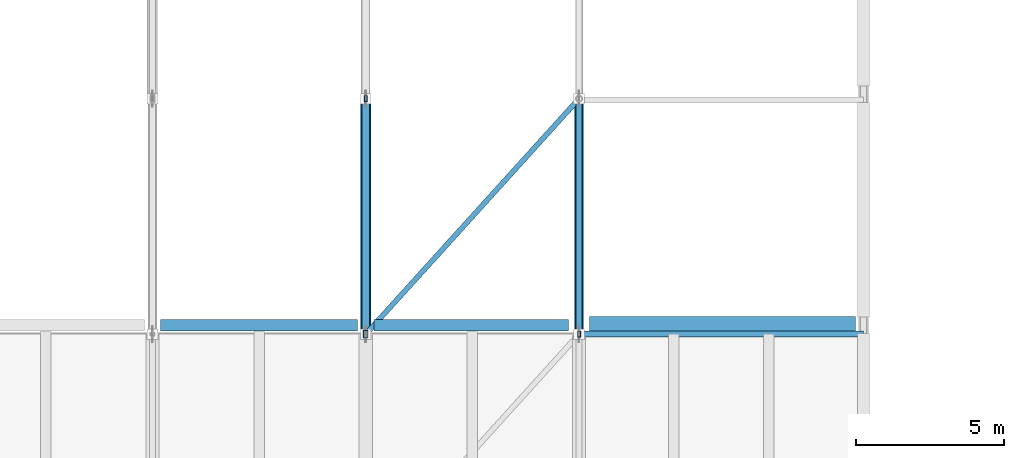
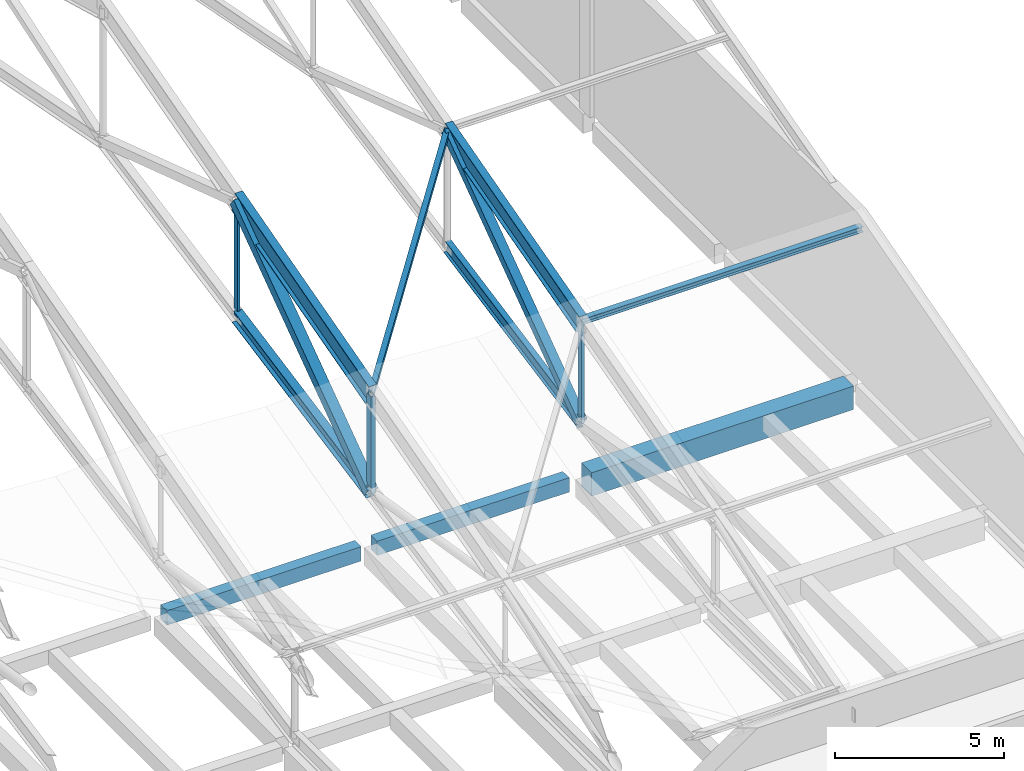
# One storey, part 12 of 53: 7 beams, 7 members.
"""IFC4 building model written with IfcOpenShell, lengths in metres."""

from ifc_helpers import new_model, si_unit, direction, frame, origin, origin_2d, place, context, subcontext, project, spatial, rectangle, hollow_rectangle, i_section, extrude, material, material_profile, profile_set, type_object, element, save


model = new_model("IFC4")

# Units and contexts
model_context = context("Model", 3, precision=1e-05, world=origin(), true_north=direction((0.0, 1.0)))
body_context = subcontext(model_context, "Body", "Model", "MODEL_VIEW")
ifc_project = project(units=[si_unit("LENGTHUNIT", "METRE"), si_unit("AREAUNIT", "SQUARE_METRE"), si_unit("VOLUMEUNIT", "CUBIC_METRE"), si_unit("PLANEANGLEUNIT", "RADIAN"), si_unit("MASSUNIT", "GRAM", prefix="KILO")], contexts=[model_context])

# Site, building, storey
site_placement = place(None, origin())
site = spatial("IfcSite", under=ifc_project, at=site_placement, CompositionType="ELEMENT")
building_placement = place(site_placement, origin())
building = spatial("IfcBuilding", under=site, at=building_placement, Name="Pellamere Symphony Hall", CompositionType="ELEMENT")
storey_placement = place(building_placement, frame((0.0, 0.0, 24.0)))
storey = spatial("IfcBuildingStorey", under=building, at=storey_placement, Name="L05", CompositionType="ELEMENT", Elevation=24.0)

# Beams
ifc_material_1 = material(Name="Concrete 40 MPa", Category="concrete")
ifc_material_profile_1 = material_profile(ifc_material_1, rectangle(XDim=0.60009765625, YDim=0.85009765625, at=origin_2d()), Name="RC 600x850")
ifc_profile_set_1 = profile_set([ifc_material_profile_1], Name="Concrete 40 MPa")
beam_type_1 = type_object("IfcBeamType", Name="RC CB-04 600x850", PredefinedType="BEAM", material=ifc_profile_set_1)
beam_1_placement = place(storey_placement, frame((109.550048828125, 46.199951171875, -0.68505859375), z_axis=(1.0, 0.0, 0.0), x_axis=(0.0, 1.0, 0.0)))
element("IfcBeam", 1, at=beam_1_placement, inside=storey, type_object=beam_type_1, Name="Girder CB-04-X2031 (L05)", PredefinedType="BEAM", context=body_context, shape_type="SweptSolid", body=[
    extrude(rectangle(XDim=0.60009765625, YDim=0.85009765625, at=origin_2d()), origin(), (0.0, 0.0, 1.0), 8.974853515625),
])
ifc_material_profile_2 = material_profile(ifc_material_1, rectangle(XDim=0.3798828125, YDim=0.52001953125, at=origin_2d()), Name="RC 380x520")
ifc_profile_set_2 = profile_set([ifc_material_profile_2], Name="Concrete 40 MPa")
beam_type_2 = type_object("IfcBeamType", Name="RC CB-21 380x520", PredefinedType="BEAM", material=ifc_profile_set_2)
beam_2_placement = place(storey_placement, frame((95.074951171875, 46.199951171875, -0.52001953125), z_axis=(1.0, 0.0, 0.0), x_axis=(0.0, 1.0, 0.0)))
element("IfcBeam", 2, at=beam_2_placement, inside=storey, type_object=beam_type_2, Name="Girder CB-21-X2029 (L05)", PredefinedType="BEAM", context=body_context, shape_type="SweptSolid", body=[
    extrude(rectangle(XDim=0.3798828125, YDim=0.52001953125, at=origin_2d()), origin(), (0.0, 0.0, 1.0), 6.650146484375),
])
beam_3_placement = place(storey_placement, frame((102.27490234375, 46.199951171875, -0.52001953125), z_axis=(1.0, 0.0, 0.0), x_axis=(0.0, 1.0, 0.0)))
element("IfcBeam", 3, at=beam_3_placement, inside=storey, type_object=beam_type_2, Name="Girder CB-21-X2030 (L05)", PredefinedType="BEAM", context=body_context, shape_type="SweptSolid", body=[
    extrude(rectangle(XDim=0.3798828125, YDim=0.52001953125, at=origin_2d()), origin(), (0.0, 0.0, 1.0), 6.5751953125),
])
ifc_material_2 = material(Name="Steel CSA G40.21 350W", Category="steel")
ifc_material_profile_3 = material_profile(ifc_material_2, i_section(OverallWidth=0.26806640625, OverallDepth=0.77001953125, WebThickness=0.015625, FlangeThickness=0.025390625, at=origin_2d()), Name="W760X196")
ifc_profile_set_3 = profile_set([ifc_material_profile_3], Name="Steel CSA G40.21 350W")
beam_type_3 = type_object("IfcBeamType", Name="Steel Beam SB-06 W760X196", PredefinedType="BEAM", material=ifc_profile_set_3)
beam_4_placement = place(storey_placement, frame((102.0, 45.89990234375, 5.22998046875), z_axis=(0.0, 0.964092523779, 0.265566574693), x_axis=(-1.0, 0.0, 0.0)))
element("IfcBeam", 4, at=beam_4_placement, inside=storey, type_object=beam_type_3, Name="Roof Truss TR-07 Top Chord 3", PredefinedType="BEAM", context=body_context, shape_type="SweptSolid", body=[
    extrude(i_section(OverallWidth=0.26806640625, OverallDepth=0.77001953125, WebThickness=0.015625, FlangeThickness=0.025390625, at=origin_2d()), origin(), (0.0, 0.0, 1.0), 8.246337890625),
])
ifc_material_profile_4 = material_profile(ifc_material_2, i_section(OverallWidth=0.25390625, OverallDepth=0.68798828125, WebThickness=0.01318359375, FlangeThickness=0.02099609375, at=origin_2d()), Name="W690X152")
ifc_profile_set_4 = profile_set([ifc_material_profile_4], Name="Steel CSA G40.21 350W")
beam_type_4 = type_object("IfcBeamType", Name="Steel Beam SB-08 W690X152", PredefinedType="BEAM", material=ifc_profile_set_4)
beam_5_placement = place(storey_placement, frame((109.199951171875, 45.89990234375, 5.27099609375), z_axis=(0.0, 0.964092523779, 0.265566574693), x_axis=(-1.0, 0.0, 0.0)))
element("IfcBeam", 5, at=beam_5_placement, inside=storey, type_object=beam_type_4, Name="Roof Truss TR-08 Top Chord 3", PredefinedType="BEAM", context=body_context, shape_type="SweptSolid", body=[
    extrude(i_section(OverallWidth=0.25390625, OverallDepth=0.68798828125, WebThickness=0.01318359375, FlangeThickness=0.02099609375, at=origin_2d()), origin(), (0.0, 0.0, 1.0), 8.246337890625),
])
ifc_material_profile_5 = material_profile(ifc_material_2, i_section(OverallWidth=0.282958984375, OverallDepth=0.471923828125, WebThickness=0.013671875, FlangeThickness=0.022216796875, at=origin_2d()), Name="W460X144")
ifc_profile_set_5 = profile_set([ifc_material_profile_5], Name="Steel CSA G40.21 350W")
beam_type_5 = type_object("IfcBeamType", Name="Steel Beam SB-15 W460X144", PredefinedType="BEAM", material=ifc_profile_set_5)
beam_6_placement = place(storey_placement, frame((102.0, 45.89990234375, 1.706787109375), z_axis=(0.0, 0.981597814787, 0.190960022008), x_axis=(-1.0, 0.0, 0.0)))
element("IfcBeam", 6, at=beam_6_placement, inside=storey, type_object=beam_type_5, Name="Roof Truss TR-07 Bottom Chord 3", PredefinedType="BEAM", context=body_context, shape_type="SweptSolid", body=[
    extrude(i_section(OverallWidth=0.282958984375, OverallDepth=0.471923828125, WebThickness=0.013671875, FlangeThickness=0.022216796875, at=origin_2d()), origin(), (0.0, 0.0, 1.0), 8.09912109375),
])
ifc_material_profile_6 = material_profile(ifc_material_2, i_section(OverallWidth=0.194091796875, OverallDepth=0.468994140625, WebThickness=0.011474609375, FlangeThickness=0.019287109375, at=origin_2d()), Name="W460X106")
ifc_profile_set_6 = profile_set([ifc_material_profile_6], Name="Steel CSA G40.21 350W")
beam_type_6 = type_object("IfcBeamType", Name="Steel Beam SB-16 W460X106", PredefinedType="BEAM", material=ifc_profile_set_6)
beam_7_placement = place(storey_placement, frame((109.199951171875, 45.89990234375, 1.706787109375), z_axis=(0.0, 0.981597814787, 0.190960022008), x_axis=(-1.0, 0.0, 0.0)))
element("IfcBeam", 7, at=beam_7_placement, inside=storey, type_object=beam_type_6, Name="Roof Truss TR-08 Bottom Chord 3", PredefinedType="BEAM", context=body_context, shape_type="SweptSolid", body=[
    extrude(i_section(OverallWidth=0.194091796875, OverallDepth=0.468994140625, WebThickness=0.011474609375, FlangeThickness=0.019287109375, at=origin_2d()), origin(), (0.0, 0.0, 1.0), 8.09912109375),
])

# Members
ifc_material_profile_7 = material_profile(ifc_material_2, hollow_rectangle(XDim=0.355712890625, YDim=0.355712890625, WallThickness=0.015869140625, at=origin_2d()), Name="HSS356X356X16")
ifc_profile_set_7 = profile_set([ifc_material_profile_7], Name="Steel CSA G40.21 350W")
member_type_1 = type_object("IfcMemberType", Name="Steel Member SM-01 HSS356X356X16", PredefinedType="CHORD", material=ifc_profile_set_7)
member_1_placement = place(storey_placement, frame((102.0, 45.89990234375, 1.706787109375), z_axis=(0.0, 0.812067073874, 0.583564107472), x_axis=(-1.0, 0.0, 0.0)))
element("IfcMember", 8, at=member_1_placement, inside=storey, type_object=member_type_1, Name="Roof Truss TR-07 Web Diagonal 3", PredefinedType="CHORD", context=body_context, shape_type="SweptSolid", body=[
    extrude(hollow_rectangle(XDim=0.355712890625, YDim=0.355712890625, WallThickness=0.015869140625, at=origin_2d()), origin(), (0.0, 0.0, 1.0), 9.7900390625),
])
ifc_material_profile_8 = material_profile(ifc_material_2, hollow_rectangle(XDim=0.3046875, YDim=0.3046875, WallThickness=0.0126953125, at=origin_2d()), Name="HSS305X305X13")
ifc_profile_set_8 = profile_set([ifc_material_profile_8], Name="Steel CSA G40.21 350W")
member_type_2 = type_object("IfcMemberType", Name="Steel Member SM-02 HSS305X305X13", PredefinedType="CHORD", material=ifc_profile_set_8)
member_2_placement = place(storey_placement, frame((109.199951171875, 45.89990234375, 1.706787109375), z_axis=(0.0, 0.810081869378, 0.586316778632), x_axis=(-1.0, 0.0, 0.0)))
element("IfcMember", 9, at=member_2_placement, inside=storey, type_object=member_type_2, Name="Roof Truss TR-08 Web Diagonal 3", PredefinedType="CHORD", context=body_context, shape_type="SweptSolid", body=[
    extrude(hollow_rectangle(XDim=0.3046875, YDim=0.3046875, WallThickness=0.0126953125, at=origin_2d()), origin(), (0.0, 0.0, 1.0), 9.81396484375),
])
ifc_material_profile_9 = material_profile(ifc_material_2, hollow_rectangle(XDim=0.177734375, YDim=0.177734375, WallThickness=0.009521484375, at=origin_2d()), Name="HSS178X178X10")
ifc_profile_set_9 = profile_set([ifc_material_profile_9], Name="Steel CSA G40.21 350W")
member_type_3 = type_object("IfcMemberType", Name="Steel Member SM-05 HSS178X178X10", PredefinedType="BRACE", material=ifc_profile_set_9)
member_3_placement = place(storey_placement, frame((102.0, 45.89990234375, 5.22998046875), z_axis=(0.657202174646, 0.725683483611, 0.20363885497), x_axis=(-0.741214843946, 0.671267871355, 0.0)))
element("IfcMember", 10, at=member_3_placement, inside=storey, type_object=member_type_3, Name="Roof Truss Plan Wind Brace 7.2", PredefinedType="BRACE", context=body_context, shape_type="SweptSolid", body=[
    extrude(hollow_rectangle(XDim=0.177734375, YDim=0.177734375, WallThickness=0.009521484375, at=origin_2d()), origin(), (0.0, 0.0, 1.0), 10.95556640625),
])
ifc_material_profile_10 = material_profile(ifc_material_2, hollow_rectangle(XDim=0.15234375, YDim=0.25390625, WallThickness=0.010986328125, at=origin_2d()), Name="HSS254X152X11")
ifc_profile_set_10 = profile_set([ifc_material_profile_10], Name="Steel CSA G40.21 350W")
member_type_4 = type_object("IfcMemberType", Name="Steel Member SM-07 HSS254X152X11", PredefinedType="STRUT", material=ifc_profile_set_10)
member_4_placement = place(storey_placement, frame((102.0, 45.89990234375, 1.706787109375), z_axis=(0.0, 0.0, 1.0), x_axis=(1.0, 0.0, 0.0)))
element("IfcMember", 11, at=member_4_placement, inside=storey, type_object=member_type_4, Name="Roof Truss TR-07 Vertical Post 2", PredefinedType="STRUT", context=body_context, shape_type="SweptSolid", body=[
    extrude(hollow_rectangle(XDim=0.15234375, YDim=0.25390625, WallThickness=0.010986328125, at=origin_2d()), origin(), (0.0, 0.0, 1.0), 3.523193359375),
])
ifc_material_profile_11 = material_profile(ifc_material_2, hollow_rectangle(XDim=0.1015625, YDim=0.203125, WallThickness=0.009521484375, at=origin_2d()), Name="HSS203X102X10")
ifc_profile_set_11 = profile_set([ifc_material_profile_11], Name="Steel CSA G40.21 350W")
member_type_5 = type_object("IfcMemberType", Name="Steel Member SM-08 HSS203X102X10", PredefinedType="STRUT", material=ifc_profile_set_11)
member_5_placement = place(storey_placement, frame((102.0, 53.85009765625, 3.25341796875), z_axis=(0.0, 0.0, 1.0), x_axis=(1.0, 0.0, 0.0)))
element("IfcMember", 12, at=member_5_placement, inside=storey, type_object=member_type_5, Name="Roof Truss TR-07 Vertical Post 3", PredefinedType="STRUT", context=body_context, shape_type="SweptSolid", body=[
    extrude(hollow_rectangle(XDim=0.1015625, YDim=0.203125, WallThickness=0.009521484375, at=origin_2d()), origin(), (0.0, 0.0, 1.0), 4.16650390625),
])
member_6_placement = place(storey_placement, frame((109.199951171875, 45.89990234375, 1.706787109375), z_axis=(0.0, 0.0, 1.0), x_axis=(1.0, 0.0, 0.0)))
element("IfcMember", 13, at=member_6_placement, inside=storey, type_object=member_type_5, Name="Roof Truss TR-08 Vertical Post 2", PredefinedType="STRUT", context=body_context, shape_type="SweptSolid", body=[
    extrude(hollow_rectangle(XDim=0.1015625, YDim=0.203125, WallThickness=0.009521484375, at=origin_2d()), origin(), (0.0, 0.0, 1.0), 3.564208984375),
])
ifc_material_profile_12 = material_profile(ifc_material_2, i_section(OverallWidth=0.2041015625, OverallDepth=0.2060546875, WebThickness=0.0078125, FlangeThickness=0.0126953125, at=origin_2d()), Name="W200X52")
ifc_profile_set_12 = profile_set([ifc_material_profile_12], Name="Steel CSA G40.21 350W")
member_type_6 = type_object("IfcMemberType", Name="Steel Member SM-15 W200X52", PredefinedType="PURLIN", material=ifc_profile_set_12)
member_7_placement = place(storey_placement, frame((109.199951171875, 45.89990234375, 5.3798828125), z_axis=(1.0, 0.0, 0.0), x_axis=(0.0, 1.0, 0.0)))
element("IfcMember", 14, at=member_7_placement, inside=storey, type_object=member_type_6, Name="Crystal Foyer Roof Purlin E.2", PredefinedType="PURLIN", context=body_context, shape_type="SweptSolid", body=[
    extrude(i_section(OverallWidth=0.2041015625, OverallDepth=0.2060546875, WebThickness=0.0078125, FlangeThickness=0.0126953125, at=origin_2d()), origin(), (0.0, 0.0, 1.0), 9.60009765625),
])

save(model, "model.ifc")
